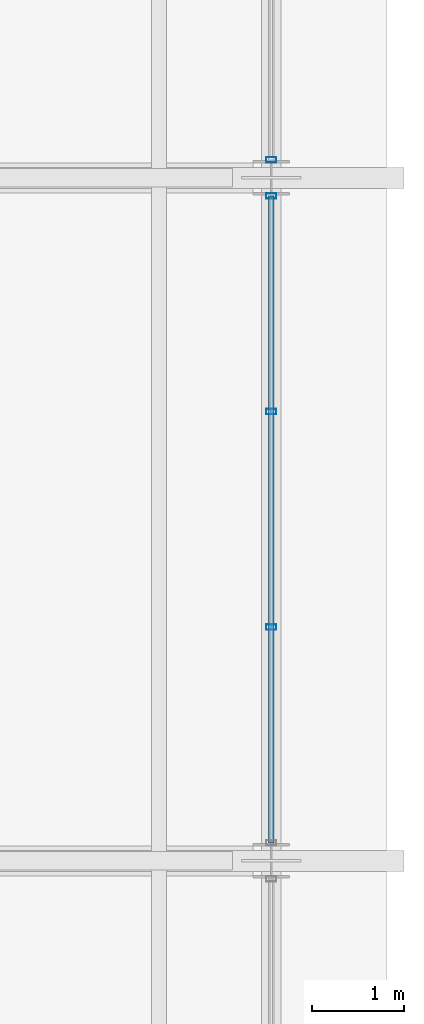
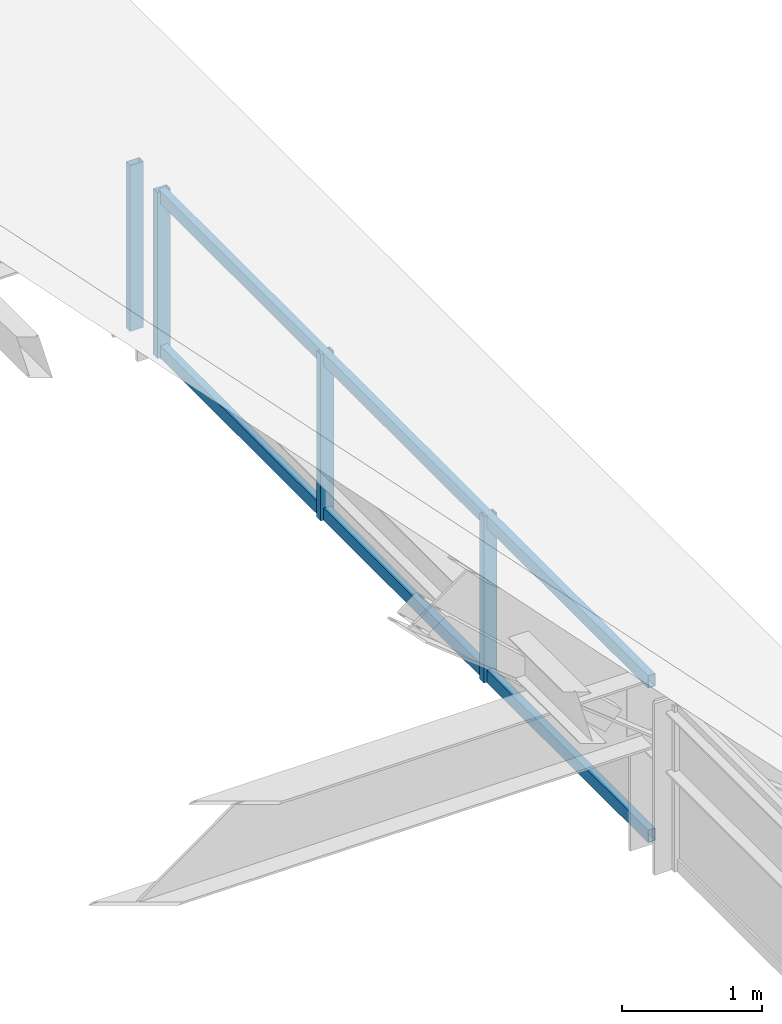
# One storey, part 18 of 44: 6 members, 2 elements without a shape of their own.
"""IFC4 building model written with IfcOpenShell, lengths in metres."""

from ifc_helpers import new_model, si_unit, direction, frame, origin, origin_2d, place, context, subcontext, project, spatial, hollow_rectangle, extrude, material, material_profile, profile_set, type_object, element, aggregate, save


model = new_model("IFC4")

# Units and contexts
model_context = context("Model", 3, precision=1e-05, world=origin(), true_north=direction((0.0, 1.0)))
body_context = subcontext(model_context, "Body", "Model", "MODEL_VIEW")
ifc_project = project(units=[si_unit("LENGTHUNIT", "METRE"), si_unit("AREAUNIT", "SQUARE_METRE"), si_unit("VOLUMEUNIT", "CUBIC_METRE"), si_unit("PLANEANGLEUNIT", "RADIAN"), si_unit("MASSUNIT", "GRAM", prefix="KILO")], contexts=[model_context])

# Site, building, storey
site_placement = place(None, origin())
site = spatial("IfcSite", under=ifc_project, at=site_placement, CompositionType="ELEMENT")
building_placement = place(site_placement, origin())
building = spatial("IfcBuilding", under=site, at=building_placement, Name="Cimatlan Art Gallery", CompositionType="ELEMENT")
storey_placement = place(building_placement, frame((0.0, 0.0, 26.39990234375)))
storey = spatial("IfcBuildingStorey", under=building, at=storey_placement, Name="Roof", CompositionType="ELEMENT", Elevation=26.39990234375)

# Curtain wall, members
ifc_material_1 = material(Name="Anodised bronze unitised curtain wall")
curtain_wall_type = type_object("IfcCurtainWallType", Name="CW-V-07010X01450-B3", PredefinedType="NOTDEFINED", material=ifc_material_1)
curtain_wall_1_placement = place(storey_placement, origin())
curtain_wall_1 = element("IfcCurtainWall", 1, at=curtain_wall_1_placement, inside=storey, type_object=curtain_wall_type, Name="CW-CRW-E-05", PredefinedType="NOTDEFINED")
ifc_material_2 = material(Name="Anodised bronze aluminium 6063-T6", Category="aluminium")
ifc_material_profile_1 = material_profile(ifc_material_2, hollow_rectangle(XDim=0.06005859375, YDim=0.110107421875, WallThickness=0.00341796875, at=origin_2d()), Name="ALU60X110X3")
ifc_profile_set_1 = profile_set([ifc_material_profile_1], Name="Anodised bronze aluminium 6063-T6")
member_type_1 = type_object("IfcMemberType", Name="CW-MUL-110", PredefinedType="MULLION", material=ifc_profile_set_1)
member_1_placement = place(storey_placement, frame((99.199951171875, 45.905029296875, 0.0), z_axis=(0.0, 0.0, 1.0), x_axis=(0.0, 1.0, 0.0)))
member_1 = element("IfcMember", 2, at=member_1_placement, type_object=member_type_1, Name="CW-CRW-E-05-M1", PredefinedType="MULLION", context=body_context, shape_type="SweptSolid", body=[
    extrude(hollow_rectangle(XDim=0.06005859375, YDim=0.110107421875, WallThickness=0.00341796875, at=origin_2d()), origin(), (0.0, 0.0, 1.0), 1.4501953125),
])
member_2_placement = place(storey_placement, frame((99.199951171875, 43.568359375, 0.0), z_axis=(0.0, 0.0, 1.0), x_axis=(0.0, 1.0, 0.0)))
member_2 = element("IfcMember", 3, at=member_2_placement, type_object=member_type_1, Name="CW-CRW-E-05-M2", PredefinedType="MULLION", context=body_context, shape_type="SweptSolid", body=[
    extrude(hollow_rectangle(XDim=0.06005859375, YDim=0.110107421875, WallThickness=0.00341796875, at=origin_2d()), origin(), (0.0, 0.0, 1.0), 1.4501953125),
])
member_3_placement = place(storey_placement, frame((99.199951171875, 41.231689453125, 0.0), z_axis=(0.0, 0.0, 1.0), x_axis=(0.0, 1.0, 0.0)))
member_3 = element("IfcMember", 4, at=member_3_placement, type_object=member_type_1, Name="CW-CRW-E-05-M3", PredefinedType="MULLION", context=body_context, shape_type="SweptSolid", body=[
    extrude(hollow_rectangle(XDim=0.06005859375, YDim=0.110107421875, WallThickness=0.00341796875, at=origin_2d()), origin(), (0.0, 0.0, 1.0), 1.4501953125),
])

# Curtain wall, member
curtain_wall_2_placement = place(storey_placement, origin())
curtain_wall_2 = element("IfcCurtainWall", 5, at=curtain_wall_2_placement, inside=storey, type_object=curtain_wall_type, Name="CW-CRW-E-06", PredefinedType="NOTDEFINED")
member_4_placement = place(storey_placement, frame((99.199951171875, 46.294921875, 0.0), z_axis=(0.0, 0.0, 1.0), x_axis=(0.0, 1.0, 0.0)))
member_4 = element("IfcMember", 6, at=member_4_placement, type_object=member_type_1, Name="CW-CRW-E-06-M4", PredefinedType="MULLION", context=body_context, shape_type="SweptSolid", body=[
    extrude(hollow_rectangle(XDim=0.06005859375, YDim=0.110107421875, WallThickness=0.00341796875, at=origin_2d()), origin(), (0.0, 0.0, 1.0), 1.4501953125),
])
aggregate(curtain_wall_2, [member_4])

# Member
ifc_material_profile_2 = material_profile(ifc_material_2, hollow_rectangle(XDim=0.06005859375, YDim=0.110107421875, WallThickness=0.00341796875, at=origin_2d()), Name="ALU60X110X3")
ifc_profile_set_2 = profile_set([ifc_material_profile_2], Name="Anodised bronze aluminium 6063-T6")
member_type_2 = type_object("IfcMemberType", Name="CW-TRN-110", PredefinedType="USERDEFINED", material=ifc_profile_set_2)
member_5_placement = place(storey_placement, frame((99.199951171875, 45.905029296875, 0.050048828125), z_axis=(0.0, -1.0, 0.0), x_axis=(1.0, 0.0, 0.0)))
member_5 = element("IfcMember", 7, at=member_5_placement, type_object=member_type_2, Name="CW-CRW-E-05-T1", ObjectType="TRANSOM", PredefinedType="USERDEFINED", context=body_context, shape_type="SweptSolid", body=[
    extrude(hollow_rectangle(XDim=0.06005859375, YDim=0.110107421875, WallThickness=0.00341796875, at=origin_2d()), origin(), (0.0, 0.0, 1.0), 7.010009765625),
])

member_6_placement = place(storey_placement, frame((99.199951171875, 45.905029296875, 1.400146484375), z_axis=(0.0, -1.0, 0.0), x_axis=(1.0, 0.0, 0.0)))
member_6 = element("IfcMember", 8, at=member_6_placement, type_object=member_type_2, Name="CW-CRW-E-05-T2", ObjectType="TRANSOM", PredefinedType="USERDEFINED", context=body_context, shape_type="SweptSolid", body=[
    extrude(hollow_rectangle(XDim=0.06005859375, YDim=0.110107421875, WallThickness=0.00341796875, at=origin_2d()), origin(), (0.0, 0.0, 1.0), 7.010009765625),
])

aggregate(curtain_wall_1, [member_1, member_2, member_3, member_5, member_6])

save(model, "model.ifc")
